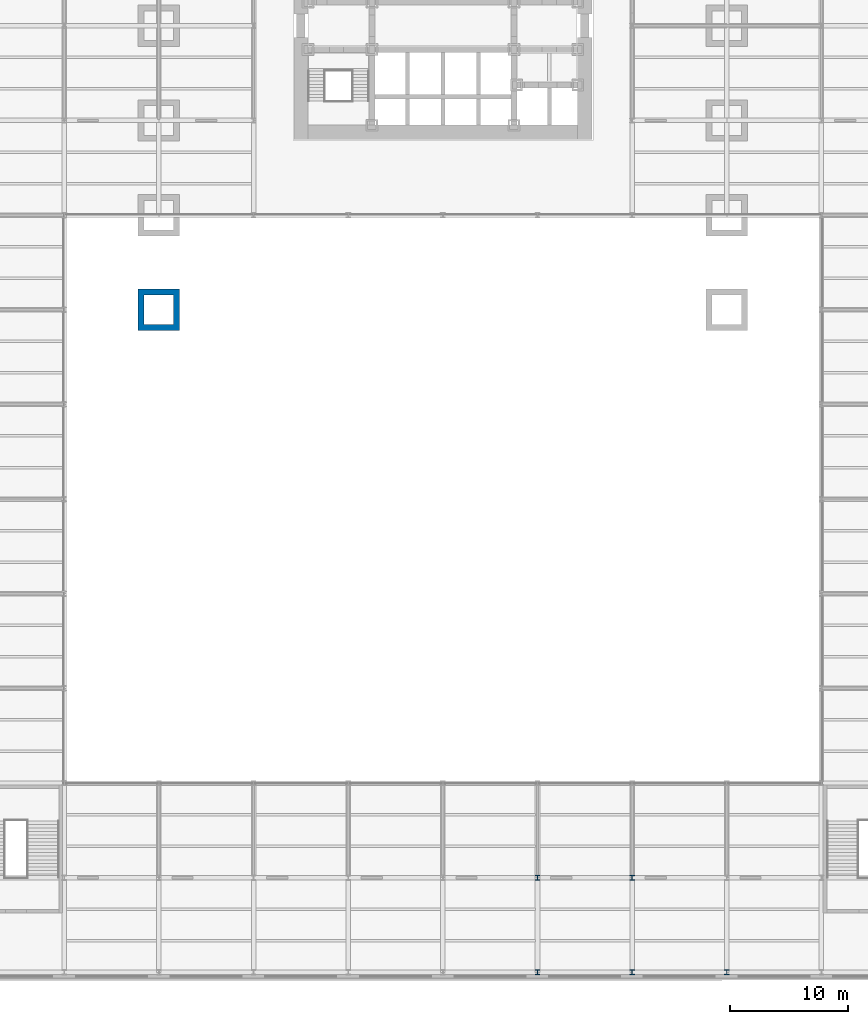
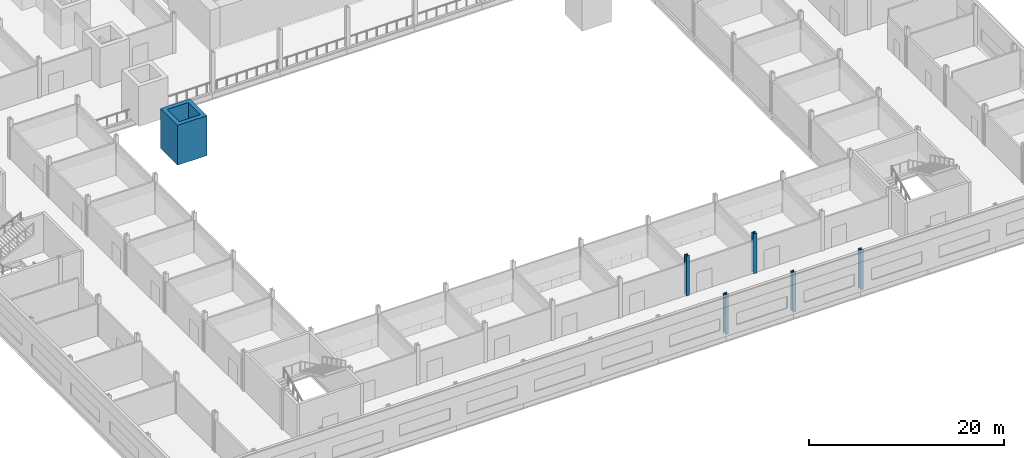
# One storey, part 2 of 22: 6 columns.
"""IFC4 building model written with IfcOpenShell, lengths in metres."""

from ifc_helpers import new_model, si_unit, direction, frame, origin, origin_2d, place, context, subcontext, project, spatial, hollow_rectangle, i_section, extrude, material, material_profile, profile_set, type_object, element, save


model = new_model("IFC4")

# Units and contexts
model_context = context("Model", 3, precision=1e-05, world=origin(), true_north=direction((0.0, 1.0)))
body_context = subcontext(model_context, "Body", "Model", "MODEL_VIEW")
ifc_project = project(units=[si_unit("LENGTHUNIT", "METRE"), si_unit("AREAUNIT", "SQUARE_METRE"), si_unit("VOLUMEUNIT", "CUBIC_METRE"), si_unit("PLANEANGLEUNIT", "RADIAN"), si_unit("MASSUNIT", "GRAM", prefix="KILO")], contexts=[model_context])

# Site, building, storey
site_placement = place(None, origin())
site = spatial("IfcSite", under=ifc_project, at=site_placement, CompositionType="ELEMENT")
building_placement = place(site_placement, origin())
building = spatial("IfcBuilding", under=site, at=building_placement, Name="Daluyong Arena Tower", CompositionType="ELEMENT")
storey_placement = place(building_placement, frame((0.0, 0.0, 9.89990234375)))
storey = spatial("IfcBuildingStorey", under=building, at=storey_placement, Name="L02", CompositionType="ELEMENT", Elevation=9.89990234375)

# Columns
ifc_material_1 = material(Name="Steel ASTM A992 Grade 50", Category="steel")
ifc_material_profile_1 = material_profile(ifc_material_1, i_section(OverallWidth=0.406494140625, OverallDepth=0.41650390625, WebThickness=0.030029296875, FlangeThickness=0.048095703125, at=origin_2d()))
ifc_profile_set_1 = profile_set([ifc_material_profile_1], Name="Steel ASTM A992 Grade 50")
column_type_1 = type_object("IfcColumnType", Name="Podium column W14X257", PredefinedType="COLUMN", material=ifc_profile_set_1)
for number, where, z_axis, x_axis, name in (
    (1, (64.0, 0.0, 0.0), (0.0, 0.0, 1.0), (1.0, 0.0, 0.0), "podium column PC2"),
    (2, (64.0, 8.0, 0.0), (0.0, 0.0, 1.0), (1.0, 0.0, 0.0), "podium column PC2"),
    (3, (72.0, 0.0, 0.0), (0.0, 0.0, 1.0), (1.0, 0.0, 0.0), "podium column PC2"),
    (4, (72.0, 8.0, 0.0), (0.0, 0.0, 1.0), (1.0, 0.0, 0.0), "podium column PC2"),
    (5, (80.0, 0.0, 0.0), (0.0, 0.0, 1.0), (1.0, 0.0, 0.0), "podium column PC2"),
):
    element("IfcColumn", number, at=place(storey_placement, frame(where, z_axis=z_axis, x_axis=x_axis)), inside=storey, type_object=column_type_1, Name=name, PredefinedType="COLUMN", context=body_context, shape_type="SweptSolid", body=[
        extrude(i_section(OverallWidth=0.406494140625, OverallDepth=0.41650390625, WebThickness=0.030029296875, FlangeThickness=0.048095703125, at=origin_2d()), origin(), (0.0, 0.0, 1.0), 5.0),
    ])
ifc_material_2 = material(Name="Steel ASTM A36", Category="steel")
ifc_material_profile_2 = material_profile(ifc_material_2, hollow_rectangle(XDim=3.5, YDim=3.5, WallThickness=0.5, at=origin_2d()))
ifc_profile_set_2 = profile_set([ifc_material_profile_2], Name="Steel ASTM A36")
column_type_2 = type_object("IfcColumnType", Name="Podium megacolumn BX3500X500", PredefinedType="COLUMN", material=ifc_profile_set_2)
column_placement = place(storey_placement, frame((32.0, 56.0, 0.0), z_axis=(0.0, 0.0, 1.0), x_axis=(1.0, 0.0, 0.0)))
element("IfcColumn", 6, at=column_placement, inside=storey, type_object=column_type_2, Name="podium megacolumn MC1", PredefinedType="COLUMN", context=body_context, shape_type="SweptSolid", body=[
    extrude(hollow_rectangle(XDim=3.5, YDim=3.5, WallThickness=0.5, at=origin_2d()), origin(), (0.0, 0.0, 1.0), 5.0),
])

save(model, "model.ifc")
